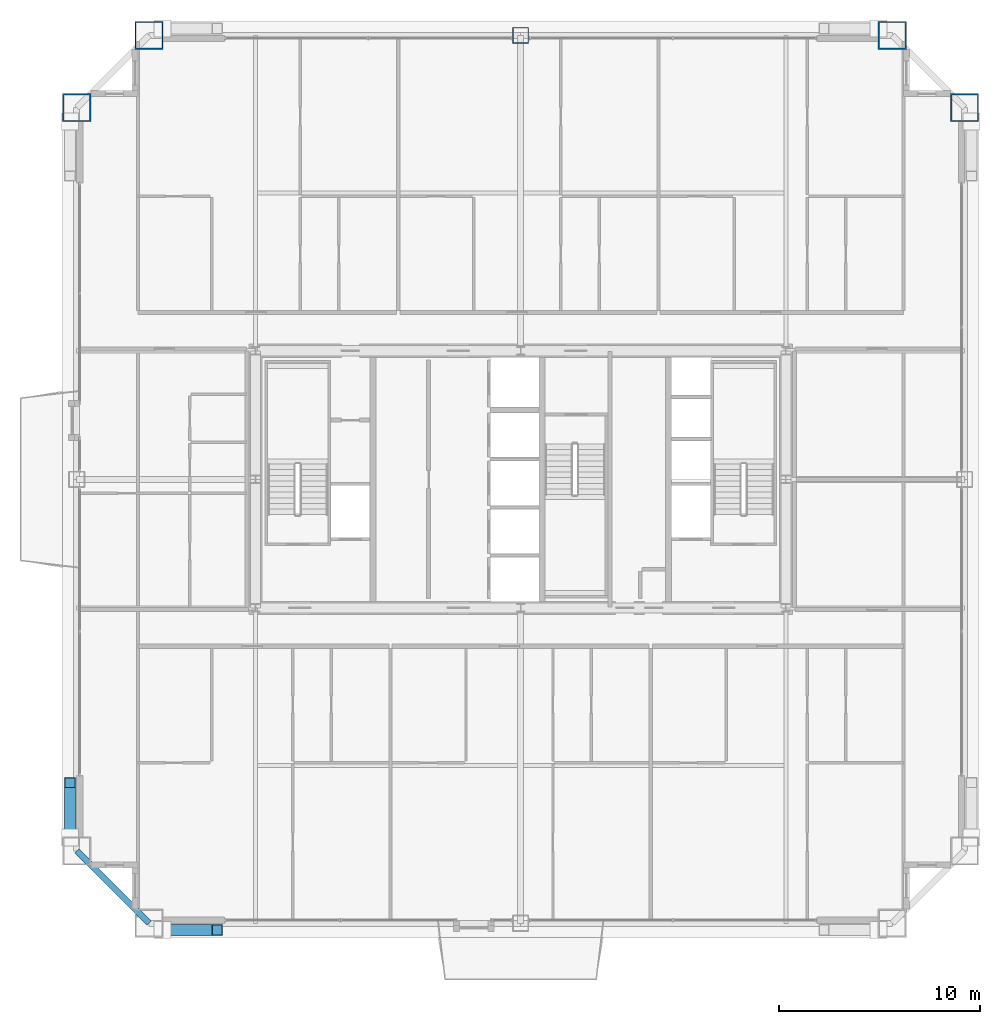
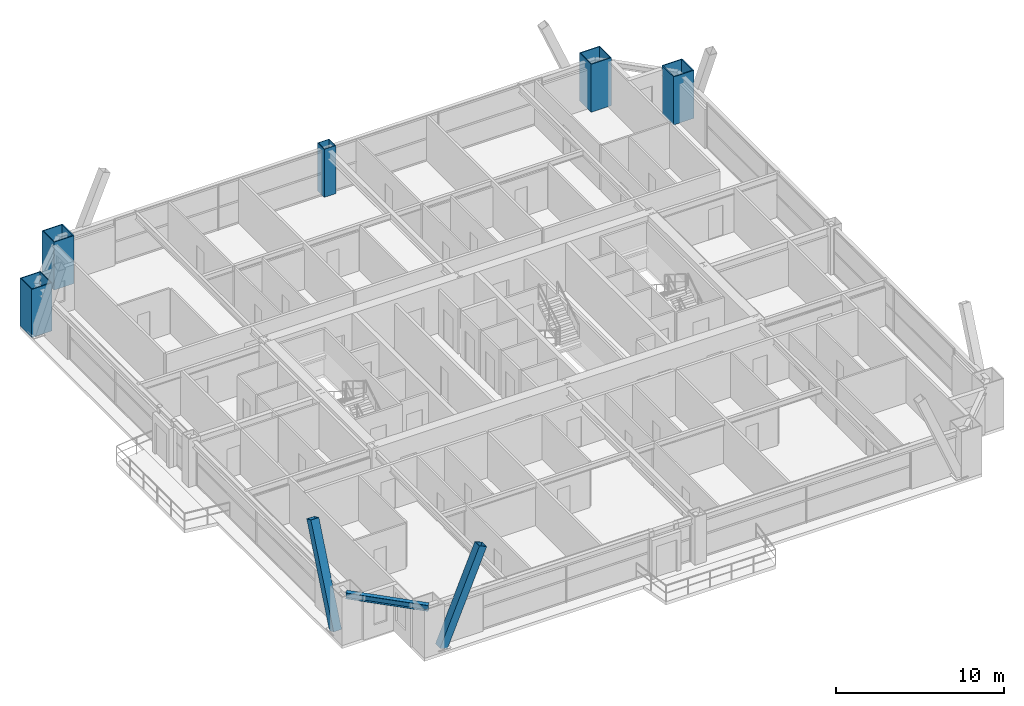
# One storey, part 3 of 42: 5 columns, 2 members, 1 beam.
"""IFC4 building model written with IfcOpenShell, lengths in metres."""

from ifc_helpers import new_model, si_unit, direction, frame, origin, origin_2d, place, context, subcontext, project, spatial, hollow_rectangle, i_section, extrude, source, transform, mapped, material, material_profile, profile_set, type_object, element, save


model = new_model("IFC4")

# Units and contexts
model_context = context("Model", 3, precision=1e-05, world=origin(), true_north=direction((0.0, 1.0)))
body_context = subcontext(model_context, "Body", "Model", "MODEL_VIEW")
ifc_project = project(units=[si_unit("LENGTHUNIT", "METRE"), si_unit("AREAUNIT", "SQUARE_METRE"), si_unit("VOLUMEUNIT", "CUBIC_METRE"), si_unit("PLANEANGLEUNIT", "RADIAN"), si_unit("MASSUNIT", "GRAM", prefix="KILO"), si_unit("THERMODYNAMICTEMPERATUREUNIT", "KELVIN"), si_unit("POWERUNIT", "WATT")], contexts=[model_context])

# Site, building, storey
site_placement = place(None, origin())
site = spatial("IfcSite", under=ifc_project, at=site_placement, CompositionType="ELEMENT")
building_placement = place(site_placement, origin())
building = spatial("IfcBuilding", under=site, at=building_placement, Name="Yuzanri Waterfront Tower", CompositionType="ELEMENT")
storey_placement = place(building_placement, frame((0.0, 0.0, 205.5)))
storey = spatial("IfcBuildingStorey", under=building, at=storey_placement, Name="L54", CompositionType="ELEMENT", Elevation=205.5)

# Columns
ifc_material_1 = material(Name="Steel Q420GJC", Category="steel")
ifc_material_profile_1 = material_profile(ifc_material_1, hollow_rectangle(XDim=1.39990234375, YDim=1.39990234375, WallThickness=0.06005859375, at=origin_2d()), Name="RHS 1400x1400x60")
ifc_profile_set_1 = profile_set([ifc_material_profile_1], Name="Steel Q420GJC")
column_type_1 = type_object("IfcColumnType", Name="Mega Column Q420GJC RHS 1400x1400x60", PredefinedType="COLUMN", material=ifc_profile_set_1)
shared_shape_1 = source(origin(), body_context, "Body", "SweptSolid", [
    extrude(hollow_rectangle(XDim=1.39990234375, YDim=1.39990234375, WallThickness=0.06005859375, at=origin_2d()), origin(), (0.0, 0.0, 1.0), 3.5),
])
for number, where, z_axis, x_axis, name in (
    (1, (18.5, 47.89990234375, 0.0), (0.0, 0.0, 1.0), (1.0, 0.0, 0.0), "L54 Perimeter Mega Column N1"),
    (2, (55.5, 47.89990234375, 0.0), (0.0, 0.0, 1.0), (1.0, 0.0, 0.0), "L54 Perimeter Mega Column N3"),
    (3, (14.89990234375, 44.300048828125, 0.0), (0.0, 0.0, 1.0), (1.0, 0.0, 0.0), "L54 Perimeter Mega Column W3"),
    (4, (59.10009765625, 44.300048828125, 0.0), (0.0, 0.0, 1.0), (1.0, 0.0, 0.0), "L54 Perimeter Mega Column E3"),
):
    element("IfcColumn", number, at=place(storey_placement, frame(where, z_axis=z_axis, x_axis=x_axis)), inside=storey, type_object=column_type_1, Name=name, PredefinedType="COLUMN", context=body_context, shape_type="MappedRepresentation", body=[
        mapped(shared_shape_1, transform((0.0, 0.0, 0.0), scale=1.0)),
    ])
ifc_material_2 = material(Name="Steel Q390GJC", Category="steel")
ifc_material_profile_2 = material_profile(ifc_material_2, hollow_rectangle(XDim=0.800048828125, YDim=0.800048828125, WallThickness=0.035888671875, at=origin_2d()), Name="RHS 800x800x36")
ifc_profile_set_2 = profile_set([ifc_material_profile_2], Name="Steel Q390GJC")
column_type_2 = type_object("IfcColumnType", Name="Frame Column Q390GJC RHS 800x800x36", PredefinedType="COLUMN", material=ifc_profile_set_2)
shared_shape_2 = source(origin(), body_context, "Body", "SweptSolid", [
    extrude(hollow_rectangle(XDim=0.800048828125, YDim=0.800048828125, WallThickness=0.035888671875, at=origin_2d()), origin(), (0.0, 0.0, 1.0), 3.5),
])
column_placement = place(storey_placement, frame((37.0, 47.89990234375, 0.0), z_axis=(0.0, 0.0, 1.0), x_axis=(1.0, 0.0, 0.0)))
element("IfcColumn", 5, at=column_placement, inside=storey, type_object=column_type_2, Name="L54 Perimeter Frame Column N2", PredefinedType="COLUMN", context=body_context, shape_type="MappedRepresentation", body=[
    mapped(shared_shape_2, transform((0.0, 0.0, 0.0), scale=1.0)),
])

# Beam
ifc_material_3 = material(Name="Steel Q355B", Category="steel")
ifc_material_profile_3 = material_profile(ifc_material_3, i_section(OverallWidth=0.300048828125, OverallDepth=0.43994140625, WebThickness=0.010986328125, FlangeThickness=0.01806640625, at=origin_2d()), Name="HM 440x300x11x18")
ifc_profile_set_3 = profile_set([ifc_material_profile_3], Name="Steel Q355B")
beam_type = type_object("IfcBeamType", Name="Perimeter Spandrel Q355B HM 440x300", PredefinedType="SPANDREL", material=ifc_profile_set_3)
shared_shape_3 = source(origin(), body_context, "Body", "SweptSolid", [
    extrude(i_section(OverallWidth=0.300048828125, OverallDepth=0.43994140625, WebThickness=0.010986328125, FlangeThickness=0.01806640625, at=origin_2d()), origin(), (0.0, 0.0, 1.0), 5.09130859375),
])
beam_placement = place(storey_placement, frame((14.89990234375, 7.300048828125, 3.06005859375), z_axis=(0.707106781187, -0.707106781187, 0.0), x_axis=(0.707106781187, 0.707106781187, 0.0)))
element("IfcBeam", 6, at=beam_placement, inside=storey, type_object=beam_type, Name="L54 Perimeter Spandrel W1-S1", PredefinedType="SPANDREL", context=body_context, shape_type="MappedRepresentation", body=[
    mapped(shared_shape_3, transform((0.0, 0.0, 0.0), scale=1.0)),
])

# Members
ifc_material_4 = material(Name="Steel Q390GJC", Category="steel")
ifc_material_profile_4 = material_profile(ifc_material_4, hollow_rectangle(XDim=0.550048828125, YDim=0.550048828125, WallThickness=0.02490234375, at=origin_2d()), Name="RHS 550x550x25")
ifc_profile_set_4 = profile_set([ifc_material_profile_4], Name="Steel Q390GJC")
member_type = type_object("IfcMemberType", Name="Mega Brace Mid Q390GJC RHS 550x550x25", PredefinedType="BRACE", material=ifc_profile_set_4)
shared_shape_4 = source(origin(), body_context, "Body", "SweptSolid", [
    extrude(hollow_rectangle(XDim=0.550048828125, YDim=0.550048828125, WallThickness=0.02490234375, at=origin_2d()), origin(), (0.0, 0.0, 1.0), 7.046142578125),
])
for number, where, z_axis, x_axis, name in (
    (7, (19.179931640625, 3.360107421875, 0.179931640625), (0.386022211732, 0.0, 0.922489486146), (0.0, 1.0, 0.0), "L54-L55 Perimeter Mega-Brace S-L"),
    (8, (14.56005859375, 7.97998046875, 0.179931640625), (0.0, 0.386022211732, 0.922489486146), (-1.0, 0.0, 0.0), "L54-L55 Perimeter Mega-Brace W-L"),
):
    element("IfcMember", number, at=place(storey_placement, frame(where, z_axis=z_axis, x_axis=x_axis)), inside=storey, type_object=member_type, Name=name, PredefinedType="BRACE", context=body_context, shape_type="MappedRepresentation", body=[
        mapped(shared_shape_4, transform((0.0, 0.0, 0.0), scale=1.0)),
    ])

save(model, "model.ifc")
